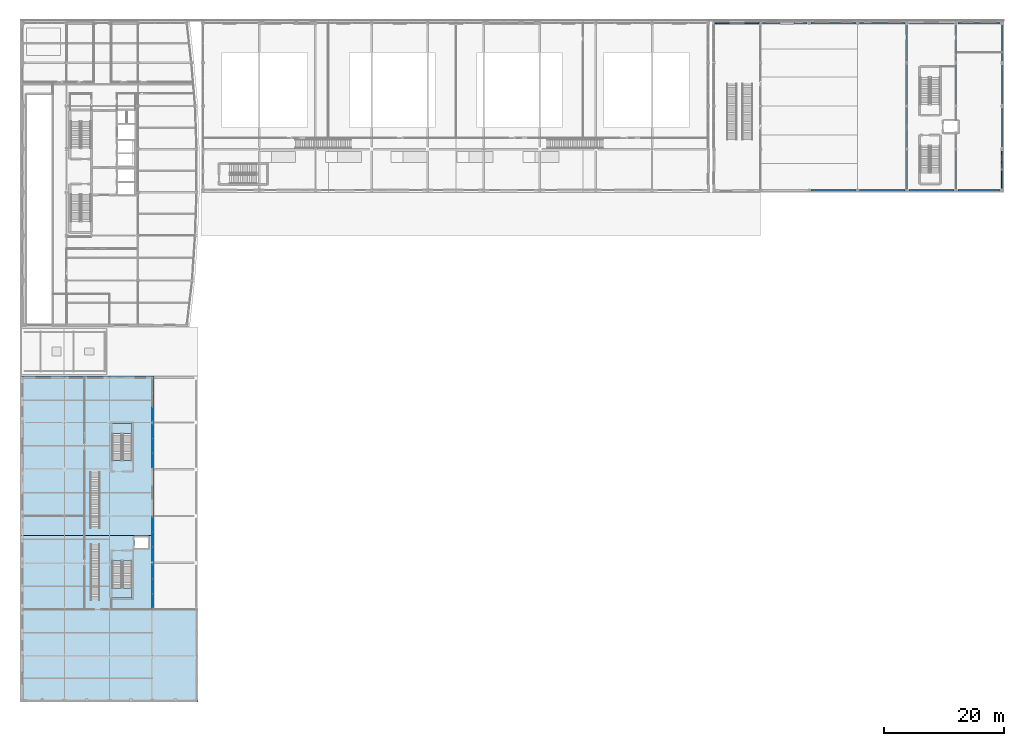
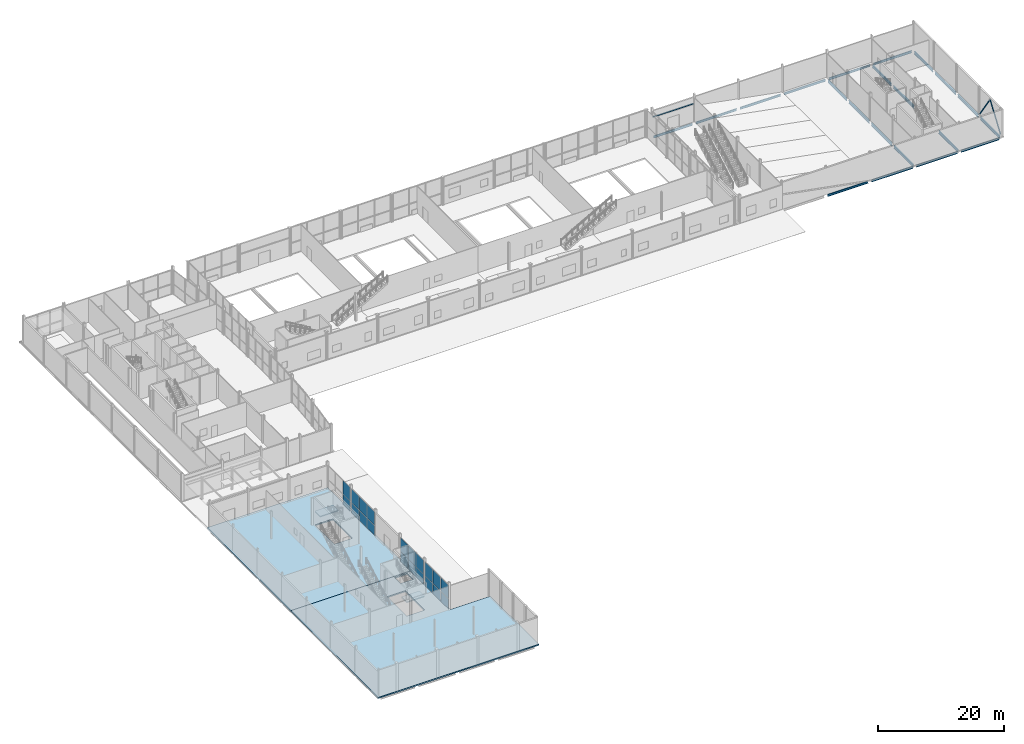
# One storey, part 55 of 83: 22 beams, 20 plates, 4 slabs, 2 members, 6 elements without a shape of their own.
"""IFC4 building model written with IfcOpenShell, lengths in metres."""

from ifc_helpers import new_model, si_unit, direction, frame, origin, origin_2d, place, context, subcontext, project, spatial, polyline, rectangle, hollow_rectangle, i_section, outline, extrude, material, layer, layer_set, material_profile, profile_set, type_object, element, aggregate, save


model = new_model("IFC4")

# Units and contexts
model_context = context("Model", 3, precision=1e-05, world=origin(), true_north=direction((0.0, 1.0)))
body_context = subcontext(model_context, "Body", "Model", "MODEL_VIEW")
ifc_project = project(units=[si_unit("LENGTHUNIT", "METRE"), si_unit("AREAUNIT", "SQUARE_METRE"), si_unit("VOLUMEUNIT", "CUBIC_METRE"), si_unit("PLANEANGLEUNIT", "RADIAN"), si_unit("MASSUNIT", "GRAM", prefix="KILO")], contexts=[model_context])

# Site, building, storey
site_placement = place(None, origin())
site = spatial("IfcSite", under=ifc_project, at=site_placement, CompositionType="ELEMENT")
building_placement = place(site_placement, origin())
building = spatial("IfcBuilding", under=site, at=building_placement, Name="Quillay Park Conservatory", CompositionType="ELEMENT")
storey_placement = place(building_placement, origin())
storey = spatial("IfcBuildingStorey", under=building, at=storey_placement, Name="L00", CompositionType="ELEMENT", Elevation=0.0)

# Beams
ifc_material_1 = material(Name="Steel ASTM A992 Grade 50", Category="steel")
ifc_material_profile_1 = material_profile(ifc_material_1, i_section(OverallWidth=0.133056640625, OverallDepth=0.20703125, WebThickness=0.005859375, FlangeThickness=0.00830078125, FilletRadius=0.008056640625, at=origin_2d()), Name="W200x27")
ifc_profile_set_1 = profile_set([ifc_material_profile_1], Name="Steel ASTM A992 Grade 50")
beam_type_1 = type_object("IfcBeamType", Name="OPENING LINTEL BEAM W200 X27", PredefinedType="LINTEL", material=ifc_profile_set_1)
beam_1_placement = place(storey_placement, frame((115.985107421875, 113.39990234375, 3.49658203125), z_axis=(1.0, 0.0, 0.0), x_axis=(0.0, 1.0, 0.0)))
element("IfcBeam", 1, at=beam_1_placement, inside=storey, type_object=beam_type_1, Name="L00 beam BM-LNT-1601", PredefinedType="LINTEL", context=body_context, shape_type="SweptSolid", body=[
    extrude(i_section(OverallWidth=0.133056640625, OverallDepth=0.20703125, WebThickness=0.005859375, FlangeThickness=0.00830078125, FilletRadius=0.008056640625, at=origin_2d()), origin(), (0.0, 0.0, 1.0), 7.47998046875),
])
ifc_material_2 = material(Name="Steel ASTM A992 Grade 50", Category="steel")
ifc_material_profile_2 = material_profile(ifc_material_2, i_section(OverallWidth=0.179931640625, OverallDepth=0.4130859375, WebThickness=0.009765625, FlangeThickness=0.01611328125, FilletRadius=0.011962890625, at=origin_2d()), Name="W410x74")
ifc_profile_set_2 = profile_set([ifc_material_profile_2], Name="Steel ASTM A992 Grade 50")
beam_type_2 = type_object("IfcBeamType", Name="PERIMETER SPANDREL BEAM W410 X74", PredefinedType="SPANDREL", material=ifc_profile_set_2)
beam_2_placement = place(storey_placement, frame((132.02490234375, 85.550048828125, -0.45654296875), z_axis=(1.0, 0.0, 0.0), x_axis=(0.0, 1.0, 0.0)))
element("IfcBeam", 2, at=beam_2_placement, inside=storey, type_object=beam_type_2, Name="L00 beam BM-V2P-1670", PredefinedType="SPANDREL", context=body_context, shape_type="SweptSolid", body=[
    extrude(i_section(OverallWidth=0.179931640625, OverallDepth=0.4130859375, WebThickness=0.009765625, FlangeThickness=0.01611328125, FilletRadius=0.011962890625, at=origin_2d()), origin(), (0.0, 0.0, 1.0), 7.4501953125),
])
for number, where, z_axis, x_axis, name in (
    (3, (140.125, 85.550048828125, -0.45654296875), (1.0, 0.0, 0.0), (0.0, 1.0, 0.0), "L00 beam BM-V2P-1671"),
    (4, (148.324951171875, 85.550048828125, -0.45654296875), (1.0, 0.0, 0.0), (0.0, 1.0, 0.0), "L00 beam BM-V2P-1672"),
):
    element("IfcBeam", number, at=place(storey_placement, frame(where, z_axis=z_axis, x_axis=x_axis)), inside=storey, type_object=beam_type_2, Name=name, PredefinedType="SPANDREL", context=body_context, shape_type="SweptSolid", body=[
        extrude(i_section(OverallWidth=0.179931640625, OverallDepth=0.4130859375, WebThickness=0.009765625, FlangeThickness=0.01611328125, FilletRadius=0.011962890625, at=origin_2d()), origin(), (0.0, 0.0, 1.0), 7.550048828125),
    ])
beam_3_placement = place(storey_placement, frame((156.52490234375, 85.550048828125, -0.45654296875), z_axis=(1.0, 0.0, 0.0), x_axis=(0.0, 1.0, 0.0)))
element("IfcBeam", 5, at=beam_3_placement, inside=storey, type_object=beam_type_2, Name="L00 beam BM-V2P-1673", PredefinedType="SPANDREL", context=body_context, shape_type="SweptSolid", body=[
    extrude(i_section(OverallWidth=0.179931640625, OverallDepth=0.4130859375, WebThickness=0.009765625, FlangeThickness=0.01611328125, FilletRadius=0.011962890625, at=origin_2d()), origin(), (0.0, 0.0, 1.0), 7.0),
])
beam_4_placement = place(storey_placement, frame((116.175048828125, 113.39990234375, -0.45654296875), z_axis=(1.0, 0.0, 0.0), x_axis=(0.0, 1.0, 0.0)))
element("IfcBeam", 6, at=beam_4_placement, inside=storey, type_object=beam_type_2, Name="L00 beam BM-V2P-1674", PredefinedType="SPANDREL", context=body_context, shape_type="SweptSolid", body=[
    extrude(i_section(OverallWidth=0.179931640625, OverallDepth=0.4130859375, WebThickness=0.009765625, FlangeThickness=0.01611328125, FilletRadius=0.011962890625, at=origin_2d()), origin(), (0.0, 0.0, 1.0), 7.099853515625),
])
beam_5_placement = place(storey_placement, frame((123.925048828125, 113.39990234375, -0.45654296875), z_axis=(1.0, 0.0, 0.0), x_axis=(0.0, 1.0, 0.0)))
element("IfcBeam", 7, at=beam_5_placement, inside=storey, type_object=beam_type_2, Name="L00 beam BM-V2P-1675", PredefinedType="SPANDREL", context=body_context, shape_type="SweptSolid", body=[
    extrude(i_section(OverallWidth=0.179931640625, OverallDepth=0.4130859375, WebThickness=0.009765625, FlangeThickness=0.01611328125, FilletRadius=0.011962890625, at=origin_2d()), origin(), (0.0, 0.0, 1.0), 7.449951171875),
])
beam_6_placement = place(storey_placement, frame((132.02490234375, 113.39990234375, -0.45654296875), z_axis=(1.0, 0.0, 0.0), x_axis=(0.0, 1.0, 0.0)))
element("IfcBeam", 8, at=beam_6_placement, inside=storey, type_object=beam_type_2, Name="L00 beam BM-V2P-1676", PredefinedType="SPANDREL", context=body_context, shape_type="SweptSolid", body=[
    extrude(i_section(OverallWidth=0.179931640625, OverallDepth=0.4130859375, WebThickness=0.009765625, FlangeThickness=0.01611328125, FilletRadius=0.011962890625, at=origin_2d()), origin(), (0.0, 0.0, 1.0), 7.4501953125),
])
for number, where, z_axis, x_axis, name in (
    (9, (140.125, 113.39990234375, -0.45654296875), (1.0, 0.0, 0.0), (0.0, 1.0, 0.0), "L00 beam BM-V2P-1677"),
    (10, (148.324951171875, 113.39990234375, -0.45654296875), (1.0, 0.0, 0.0), (0.0, 1.0, 0.0), "L00 beam BM-V2P-1678"),
):
    element("IfcBeam", number, at=place(storey_placement, frame(where, z_axis=z_axis, x_axis=x_axis)), inside=storey, type_object=beam_type_2, Name=name, PredefinedType="SPANDREL", context=body_context, shape_type="SweptSolid", body=[
        extrude(i_section(OverallWidth=0.179931640625, OverallDepth=0.4130859375, WebThickness=0.009765625, FlangeThickness=0.01611328125, FilletRadius=0.011962890625, at=origin_2d()), origin(), (0.0, 0.0, 1.0), 7.550048828125),
    ])
beam_7_placement = place(storey_placement, frame((156.52490234375, 113.39990234375, -0.45654296875), z_axis=(1.0, 0.0, 0.0), x_axis=(0.0, 1.0, 0.0)))
element("IfcBeam", 11, at=beam_7_placement, inside=storey, type_object=beam_type_2, Name="L00 beam BM-V2P-1679", PredefinedType="SPANDREL", context=body_context, shape_type="SweptSolid", body=[
    extrude(i_section(OverallWidth=0.179931640625, OverallDepth=0.4130859375, WebThickness=0.009765625, FlangeThickness=0.01611328125, FilletRadius=0.011962890625, at=origin_2d()), origin(), (0.0, 0.0, 1.0), 7.0),
])
ifc_material_3 = material(Name="Steel ASTM A992 Grade 50", Category="steel")
ifc_material_profile_3 = material_profile(ifc_material_3, i_section(OverallWidth=0.2109375, OverallDepth=0.5390625, WebThickness=0.01171875, FlangeThickness=0.018798828125, FilletRadius=0.013916015625, at=origin_2d()), Name="W530x109")
ifc_profile_set_3 = profile_set([ifc_material_profile_3], Name="Steel ASTM A992 Grade 50")
beam_type_3 = type_object("IfcBeamType", Name="PRIMARY FLOOR GIRDER W530 X109", PredefinedType="BEAM", material=ifc_profile_set_3)
beam_8_placement = place(storey_placement, frame((148.0, 85.875, -0.51953125), z_axis=(0.0, 1.0, 0.0), x_axis=(-1.0, 0.0, 0.0)))
element("IfcBeam", 12, at=beam_8_placement, inside=storey, type_object=beam_type_3, Name="L00 beam BM-V2Y-1688", PredefinedType="BEAM", context=body_context, shape_type="SweptSolid", body=[
    extrude(i_section(OverallWidth=0.2109375, OverallDepth=0.5390625, WebThickness=0.01171875, FlangeThickness=0.018798828125, FilletRadius=0.013916015625, at=origin_2d()), origin(), (0.0, 0.0, 1.0), 6.199951171875),
])
beam_9_placement = place(storey_placement, frame((148.0, 92.72509765625, -0.51953125), z_axis=(0.0, 1.0, 0.0), x_axis=(-1.0, 0.0, 0.0)))
element("IfcBeam", 13, at=beam_9_placement, inside=storey, type_object=beam_type_3, Name="L00 beam BM-V2Y-1689", PredefinedType="BEAM", context=body_context, shape_type="SweptSolid", body=[
    extrude(i_section(OverallWidth=0.2109375, OverallDepth=0.5390625, WebThickness=0.01171875, FlangeThickness=0.018798828125, FilletRadius=0.013916015625, at=origin_2d()), origin(), (0.0, 0.0, 1.0), 6.5498046875),
])
beam_10_placement = place(storey_placement, frame((148.0, 99.925048828125, -0.51953125), z_axis=(0.0, 1.0, 0.0), x_axis=(-1.0, 0.0, 0.0)))
element("IfcBeam", 14, at=beam_10_placement, inside=storey, type_object=beam_type_3, Name="L00 beam BM-V2Y-1690", PredefinedType="BEAM", context=body_context, shape_type="SweptSolid", body=[
    extrude(i_section(OverallWidth=0.2109375, OverallDepth=0.5390625, WebThickness=0.01171875, FlangeThickness=0.018798828125, FilletRadius=0.013916015625, at=origin_2d()), origin(), (0.0, 0.0, 1.0), 6.550048828125),
])
beam_11_placement = place(storey_placement, frame((148.0, 107.125, -0.51953125), z_axis=(0.0, 1.0, 0.0), x_axis=(-1.0, 0.0, 0.0)))
element("IfcBeam", 15, at=beam_11_placement, inside=storey, type_object=beam_type_3, Name="L00 beam BM-V2Y-1691", PredefinedType="BEAM", context=body_context, shape_type="SweptSolid", body=[
    extrude(i_section(OverallWidth=0.2109375, OverallDepth=0.5390625, WebThickness=0.01171875, FlangeThickness=0.018798828125, FilletRadius=0.013916015625, at=origin_2d()), origin(), (0.0, 0.0, 1.0), 5.949951171875),
])
beam_12_placement = place(storey_placement, frame((156.199951171875, 85.875, -0.51953125), z_axis=(0.0, 1.0, 0.0), x_axis=(-1.0, 0.0, 0.0)))
element("IfcBeam", 16, at=beam_12_placement, inside=storey, type_object=beam_type_3, Name="L00 beam BM-V2Y-1692", PredefinedType="BEAM", context=body_context, shape_type="SweptSolid", body=[
    extrude(i_section(OverallWidth=0.2109375, OverallDepth=0.5390625, WebThickness=0.01171875, FlangeThickness=0.018798828125, FilletRadius=0.013916015625, at=origin_2d()), origin(), (0.0, 0.0, 1.0), 6.199951171875),
])
beam_13_placement = place(storey_placement, frame((156.199951171875, 99.925048828125, -0.51953125), z_axis=(0.0, 1.0, 0.0), x_axis=(-1.0, 0.0, 0.0)))
element("IfcBeam", 17, at=beam_13_placement, inside=storey, type_object=beam_type_3, Name="L00 beam BM-V2Y-1693", PredefinedType="BEAM", context=body_context, shape_type="SweptSolid", body=[
    extrude(i_section(OverallWidth=0.2109375, OverallDepth=0.5390625, WebThickness=0.01171875, FlangeThickness=0.018798828125, FilletRadius=0.013916015625, at=origin_2d()), origin(), (0.0, 0.0, 1.0), 6.550048828125),
])
beam_14_placement = place(storey_placement, frame((156.199951171875, 107.125, -0.51953125), z_axis=(0.0, 1.0, 0.0), x_axis=(-1.0, 0.0, 0.0)))
element("IfcBeam", 18, at=beam_14_placement, inside=storey, type_object=beam_type_3, Name="L00 beam BM-V2Y-1694", PredefinedType="BEAM", context=body_context, shape_type="SweptSolid", body=[
    extrude(i_section(OverallWidth=0.2109375, OverallDepth=0.5390625, WebThickness=0.01171875, FlangeThickness=0.018798828125, FilletRadius=0.013916015625, at=origin_2d()), origin(), (0.0, 0.0, 1.0), 5.949951171875),
])
beam_15_placement = place(storey_placement, frame((163.85009765625, 85.875, -0.51953125), z_axis=(0.0, 1.0, 0.0), x_axis=(-1.0, 0.0, 0.0)))
element("IfcBeam", 19, at=beam_15_placement, inside=storey, type_object=beam_type_3, Name="L00 beam BM-V2Y-1695", PredefinedType="BEAM", context=body_context, shape_type="SweptSolid", body=[
    extrude(i_section(OverallWidth=0.2109375, OverallDepth=0.5390625, WebThickness=0.01171875, FlangeThickness=0.018798828125, FilletRadius=0.013916015625, at=origin_2d()), origin(), (0.0, 0.0, 1.0), 6.199951171875),
])
beam_16_placement = place(storey_placement, frame((163.85009765625, 92.72509765625, -0.51953125), z_axis=(0.0, 1.0, 0.0), x_axis=(-1.0, 0.0, 0.0)))
element("IfcBeam", 20, at=beam_16_placement, inside=storey, type_object=beam_type_3, Name="L00 beam BM-V2Y-1696", PredefinedType="BEAM", context=body_context, shape_type="SweptSolid", body=[
    extrude(i_section(OverallWidth=0.2109375, OverallDepth=0.5390625, WebThickness=0.01171875, FlangeThickness=0.018798828125, FilletRadius=0.013916015625, at=origin_2d()), origin(), (0.0, 0.0, 1.0), 6.5498046875),
])
beam_17_placement = place(storey_placement, frame((163.85009765625, 99.925048828125, -0.51953125), z_axis=(0.0, 1.0, 0.0), x_axis=(-1.0, 0.0, 0.0)))
element("IfcBeam", 21, at=beam_17_placement, inside=storey, type_object=beam_type_3, Name="L00 beam BM-V2Y-1697", PredefinedType="BEAM", context=body_context, shape_type="SweptSolid", body=[
    extrude(i_section(OverallWidth=0.2109375, OverallDepth=0.5390625, WebThickness=0.01171875, FlangeThickness=0.018798828125, FilletRadius=0.013916015625, at=origin_2d()), origin(), (0.0, 0.0, 1.0), 6.550048828125),
])
beam_18_placement = place(storey_placement, frame((163.85009765625, 107.125, -0.51953125), z_axis=(0.0, 1.0, 0.0), x_axis=(-1.0, 0.0, 0.0)))
element("IfcBeam", 22, at=beam_18_placement, inside=storey, type_object=beam_type_3, Name="L00 beam BM-V2Y-1698", PredefinedType="BEAM", context=body_context, shape_type="SweptSolid", body=[
    extrude(i_section(OverallWidth=0.2109375, OverallDepth=0.5390625, WebThickness=0.01171875, FlangeThickness=0.018798828125, FilletRadius=0.013916015625, at=origin_2d()), origin(), (0.0, 0.0, 1.0), 5.949951171875),
])

# Members
ifc_material_4 = material(Name="Steel S355J2H", Category="steel")
ifc_material_profile_4 = material_profile(ifc_material_4, hollow_rectangle(XDim=0.179931640625, YDim=0.179931640625, WallThickness=0.010009765625, InnerFilletRadius=0.010009765625, OuterFilletRadius=0.02001953125, at=origin_2d()), Name="RHS180x180x10")
ifc_profile_set_4 = profile_set([ifc_material_profile_4], Name="Steel S355J2H")
member_type_1 = type_object("IfcMemberType", Name="SEISMIC FRAME BRACE RHS180", PredefinedType="BRACE", material=ifc_profile_set_4)
member_1_placement = place(storey_placement, frame((163.85009765625, 92.25, 0.14990234375), z_axis=(0.0, -0.564190027911, 0.825644967529), x_axis=(1.0, 0.0, 0.0)))
element("IfcMember", 23, at=member_1_placement, inside=storey, type_object=member_type_1, Name="Gridshell member BR-V2-L00-B", PredefinedType="BRACE", context=body_context, shape_type="SweptSolid", body=[
    extrude(hollow_rectangle(XDim=0.179931640625, YDim=0.179931640625, WallThickness=0.010009765625, InnerFilletRadius=0.010009765625, OuterFilletRadius=0.02001953125, at=origin_2d()), origin(), (0.0, 0.0, 1.0), 5.813720703125),
])
ifc_material_5 = material(Name="Steel S355J2H", Category="steel")
ifc_material_profile_5 = material_profile(ifc_material_5, hollow_rectangle(XDim=0.14990234375, YDim=0.25, WallThickness=0.010009765625, InnerFilletRadius=0.010009765625, OuterFilletRadius=0.02001953125, at=origin_2d()), Name="RHS250x150x10")
ifc_profile_set_5 = profile_set([ifc_material_profile_5], Name="Steel S355J2H")
member_type_2 = type_object("IfcMemberType", Name="SEISMIC FRAME BRACE RHS250", PredefinedType="BRACE", material=ifc_profile_set_5)
member_2_placement = place(storey_placement, frame((163.85009765625, 85.699951171875, 0.14990234375), z_axis=(0.0, 0.563014613541, 0.826446940184), x_axis=(-1.0, 0.0, 0.0)))
element("IfcMember", 24, at=member_2_placement, inside=storey, type_object=member_type_2, Name="Gridshell member BR-V2-L00-A", PredefinedType="BRACE", context=body_context, shape_type="SweptSolid", body=[
    extrude(hollow_rectangle(XDim=0.14990234375, YDim=0.25, WallThickness=0.010009765625, InnerFilletRadius=0.010009765625, OuterFilletRadius=0.02001953125, at=origin_2d()), origin(), (0.0, 0.0, 1.0), 5.80810546875),
])

# Curtain wall, plates
ifc_material_6 = material(Name="Thermally Broken Anodised Aluminium 6063-T6", Category="aluminium")
ifc_layer_1 = layer(ifc_material_6, 0.1650390625)
ifc_layer_set_1 = layer_set([ifc_layer_1], Name="UNITISED CURTAIN WALL PODIUM (Thermally Broken Anodised Aluminium 6063-T6)")
curtain_wall_type = type_object("IfcCurtainWallType", Name="UNITISED CURTAIN WALL PODIUM", PredefinedType="USERDEFINED", material=ifc_layer_set_1)
curtain_wall_1_placement = place(storey_placement, origin())
curtain_wall_1 = element("IfcCurtainWall", 25, at=curtain_wall_1_placement, inside=storey, type_object=curtain_wall_type, Name="L00 Unitised Curtain Wall 196", ObjectType="UNITISED CURTAIN WALL", PredefinedType="USERDEFINED")
ifc_material_7 = material(Name="Low-E Double Glazing (Laminated Tempered)", Category="glass")
ifc_layer_2 = layer(ifc_material_7, 0.028076171875)
ifc_layer_set_2 = layer_set([ifc_layer_2], Name="CURTAIN WALL GLAZED PANEL 28 (Low-E Double Glazing (Laminated Tempered))")
plate_type = type_object("IfcPlateType", Name="CURTAIN WALL GLAZED PANEL 28", PredefinedType="CURTAIN_PANEL", material=ifc_layer_set_2)
plate_1_placement = place(storey_placement, frame((22.14990234375, 21.975830078125, 0.070068359375), z_axis=(0.0, 0.0, 1.0), x_axis=(0.0, -1.0, 0.0)))
plate_1 = element("IfcPlate", 26, at=plate_1_placement, type_object=plate_type, Name="CW-P1 panel 1.1", PredefinedType="CURTAIN_PANEL", context=body_context, shape_type="SweptSolid", body=[
    extrude(rectangle(XDim=2.388427734375, YDim=0.028076171875, at=origin_2d()), origin(), (0.0, 0.0, 1.0), 1.8896484375),
])
plate_2_placement = place(storey_placement, frame((22.14990234375, 21.975830078125, 2.029541015625), z_axis=(0.0, 0.0, 1.0), x_axis=(0.0, -1.0, 0.0)))
plate_2 = element("IfcPlate", 27, at=plate_2_placement, type_object=plate_type, Name="CW-P1 panel 1.2", PredefinedType="CURTAIN_PANEL", context=body_context, shape_type="SweptSolid", body=[
    extrude(rectangle(XDim=2.388427734375, YDim=0.028076171875, at=origin_2d()), origin(), (0.0, 0.0, 1.0), 2.6494140625),
])
plate_3_placement = place(storey_placement, frame((22.14990234375, 19.5, 0.070068359375), z_axis=(0.0, 0.0, 1.0), x_axis=(0.0, -1.0, 0.0)))
plate_3 = element("IfcPlate", 28, at=plate_3_placement, type_object=plate_type, Name="CW-P1 panel 2.1", PredefinedType="CURTAIN_PANEL", context=body_context, shape_type="SweptSolid", body=[
    extrude(rectangle(XDim=2.42333984375, YDim=0.028076171875, at=origin_2d()), origin(), (0.0, 0.0, 1.0), 1.8896484375),
])
plate_4_placement = place(storey_placement, frame((22.14990234375, 19.5, 2.029541015625), z_axis=(0.0, 0.0, 1.0), x_axis=(0.0, -1.0, 0.0)))
plate_4 = element("IfcPlate", 29, at=plate_4_placement, type_object=plate_type, Name="CW-P1 panel 2.2", PredefinedType="CURTAIN_PANEL", context=body_context, shape_type="SweptSolid", body=[
    extrude(rectangle(XDim=2.42333984375, YDim=0.028076171875, at=origin_2d()), origin(), (0.0, 0.0, 1.0), 2.6494140625),
])
plate_5_placement = place(storey_placement, frame((22.14990234375, 17.024169921875, 0.070068359375), z_axis=(0.0, 0.0, 1.0), x_axis=(0.0, -1.0, 0.0)))
plate_5 = element("IfcPlate", 30, at=plate_5_placement, type_object=plate_type, Name="CW-P1 panel 3.1", PredefinedType="CURTAIN_PANEL", context=body_context, shape_type="SweptSolid", body=[
    extrude(rectangle(XDim=2.388427734375, YDim=0.028076171875, at=origin_2d()), origin(), (0.0, 0.0, 1.0), 1.8896484375),
])
plate_6_placement = place(storey_placement, frame((22.14990234375, 17.024169921875, 2.029541015625), z_axis=(0.0, 0.0, 1.0), x_axis=(0.0, -1.0, 0.0)))
plate_6 = element("IfcPlate", 31, at=plate_6_placement, type_object=plate_type, Name="CW-P1 panel 3.2", PredefinedType="CURTAIN_PANEL", context=body_context, shape_type="SweptSolid", body=[
    extrude(rectangle(XDim=2.388427734375, YDim=0.028076171875, at=origin_2d()), origin(), (0.0, 0.0, 1.0), 2.6494140625),
])
aggregate(curtain_wall_1, [plate_1, plate_2, plate_3, plate_4, plate_5, plate_6])

curtain_wall_2_placement = place(storey_placement, origin())
curtain_wall_2 = element("IfcCurtainWall", 32, at=curtain_wall_2_placement, inside=storey, type_object=curtain_wall_type, Name="L00 Unitised Curtain Wall 197", ObjectType="UNITISED CURTAIN WALL", PredefinedType="USERDEFINED")
plate_7_placement = place(storey_placement, frame((22.14990234375, 29.77587890625, 0.070068359375), z_axis=(0.0, 0.0, 1.0), x_axis=(0.0, -1.0, 0.0)))
plate_7 = element("IfcPlate", 33, at=plate_7_placement, type_object=plate_type, Name="CW-P1 panel 1.1", PredefinedType="CURTAIN_PANEL", context=body_context, shape_type="SweptSolid", body=[
    extrude(rectangle(XDim=2.388427734375, YDim=0.028076171875, at=origin_2d()), origin(), (0.0, 0.0, 1.0), 1.8896484375),
])
plate_8_placement = place(storey_placement, frame((22.14990234375, 29.77587890625, 2.029541015625), z_axis=(0.0, 0.0, 1.0), x_axis=(0.0, -1.0, 0.0)))
plate_8 = element("IfcPlate", 34, at=plate_8_placement, type_object=plate_type, Name="CW-P1 panel 1.2", PredefinedType="CURTAIN_PANEL", context=body_context, shape_type="SweptSolid", body=[
    extrude(rectangle(XDim=2.388427734375, YDim=0.028076171875, at=origin_2d()), origin(), (0.0, 0.0, 1.0), 2.6494140625),
])
plate_9_placement = place(storey_placement, frame((22.14990234375, 27.300048828125, 0.070068359375), z_axis=(0.0, 0.0, 1.0), x_axis=(0.0, -1.0, 0.0)))
plate_9 = element("IfcPlate", 35, at=plate_9_placement, type_object=plate_type, Name="CW-P1 panel 2.1", PredefinedType="CURTAIN_PANEL", context=body_context, shape_type="SweptSolid", body=[
    extrude(rectangle(XDim=2.42333984375, YDim=0.028076171875, at=origin_2d()), origin(), (0.0, 0.0, 1.0), 1.8896484375),
])
plate_10_placement = place(storey_placement, frame((22.14990234375, 27.300048828125, 2.029541015625), z_axis=(0.0, 0.0, 1.0), x_axis=(0.0, -1.0, 0.0)))
plate_10 = element("IfcPlate", 36, at=plate_10_placement, type_object=plate_type, Name="CW-P1 panel 2.2", PredefinedType="CURTAIN_PANEL", context=body_context, shape_type="SweptSolid", body=[
    extrude(rectangle(XDim=2.42333984375, YDim=0.028076171875, at=origin_2d()), origin(), (0.0, 0.0, 1.0), 2.6494140625),
])
plate_11_placement = place(storey_placement, frame((22.14990234375, 24.82421875, 0.070068359375), z_axis=(0.0, 0.0, 1.0), x_axis=(0.0, -1.0, 0.0)))
plate_11 = element("IfcPlate", 37, at=plate_11_placement, type_object=plate_type, Name="CW-P1 panel 3.1", PredefinedType="CURTAIN_PANEL", context=body_context, shape_type="SweptSolid", body=[
    extrude(rectangle(XDim=2.388427734375, YDim=0.028076171875, at=origin_2d()), origin(), (0.0, 0.0, 1.0), 1.8896484375),
])
plate_12_placement = place(storey_placement, frame((22.14990234375, 24.82421875, 2.029541015625), z_axis=(0.0, 0.0, 1.0), x_axis=(0.0, -1.0, 0.0)))
plate_12 = element("IfcPlate", 38, at=plate_12_placement, type_object=plate_type, Name="CW-P1 panel 3.2", PredefinedType="CURTAIN_PANEL", context=body_context, shape_type="SweptSolid", body=[
    extrude(rectangle(XDim=2.388427734375, YDim=0.028076171875, at=origin_2d()), origin(), (0.0, 0.0, 1.0), 2.6494140625),
])
aggregate(curtain_wall_2, [plate_7, plate_8, plate_9, plate_10, plate_11, plate_12])

curtain_wall_3_placement = place(storey_placement, origin())
curtain_wall_3 = element("IfcCurtainWall", 39, at=curtain_wall_3_placement, inside=storey, type_object=curtain_wall_type, Name="L00 Unitised Curtain Wall 198", ObjectType="UNITISED CURTAIN WALL", PredefinedType="USERDEFINED")
plate_13_placement = place(storey_placement, frame((22.14990234375, 45.375732421875, 0.070068359375), z_axis=(0.0, 0.0, 1.0), x_axis=(0.0, -1.0, 0.0)))
plate_13 = element("IfcPlate", 40, at=plate_13_placement, type_object=plate_type, Name="CW-P1 panel 1.1", PredefinedType="CURTAIN_PANEL", context=body_context, shape_type="SweptSolid", body=[
    extrude(rectangle(XDim=2.388427734375, YDim=0.028076171875, at=origin_2d()), origin(), (0.0, 0.0, 1.0), 1.8896484375),
])
plate_14_placement = place(storey_placement, frame((22.14990234375, 45.375732421875, 2.029541015625), z_axis=(0.0, 0.0, 1.0), x_axis=(0.0, -1.0, 0.0)))
plate_14 = element("IfcPlate", 41, at=plate_14_placement, type_object=plate_type, Name="CW-P1 panel 1.2", PredefinedType="CURTAIN_PANEL", context=body_context, shape_type="SweptSolid", body=[
    extrude(rectangle(XDim=2.388427734375, YDim=0.028076171875, at=origin_2d()), origin(), (0.0, 0.0, 1.0), 2.6494140625),
])
plate_15_placement = place(storey_placement, frame((22.14990234375, 42.89990234375, 0.070068359375), z_axis=(0.0, 0.0, 1.0), x_axis=(0.0, -1.0, 0.0)))
plate_15 = element("IfcPlate", 42, at=plate_15_placement, type_object=plate_type, Name="CW-P1 panel 2.1", PredefinedType="CURTAIN_PANEL", context=body_context, shape_type="SweptSolid", body=[
    extrude(rectangle(XDim=2.42333984375, YDim=0.028076171875, at=origin_2d()), origin(), (0.0, 0.0, 1.0), 1.8896484375),
])
plate_16_placement = place(storey_placement, frame((22.14990234375, 42.89990234375, 2.029541015625), z_axis=(0.0, 0.0, 1.0), x_axis=(0.0, -1.0, 0.0)))
plate_16 = element("IfcPlate", 43, at=plate_16_placement, type_object=plate_type, Name="CW-P1 panel 2.2", PredefinedType="CURTAIN_PANEL", context=body_context, shape_type="SweptSolid", body=[
    extrude(rectangle(XDim=2.42333984375, YDim=0.028076171875, at=origin_2d()), origin(), (0.0, 0.0, 1.0), 2.6494140625),
])
plate_17_placement = place(storey_placement, frame((22.14990234375, 40.424072265625, 0.070068359375), z_axis=(0.0, 0.0, 1.0), x_axis=(0.0, -1.0, 0.0)))
plate_17 = element("IfcPlate", 44, at=plate_17_placement, type_object=plate_type, Name="CW-P1 panel 3.1", PredefinedType="CURTAIN_PANEL", context=body_context, shape_type="SweptSolid", body=[
    extrude(rectangle(XDim=2.388427734375, YDim=0.028076171875, at=origin_2d()), origin(), (0.0, 0.0, 1.0), 1.8896484375),
])
plate_18_placement = place(storey_placement, frame((22.14990234375, 40.424072265625, 2.029541015625), z_axis=(0.0, 0.0, 1.0), x_axis=(0.0, -1.0, 0.0)))
plate_18 = element("IfcPlate", 45, at=plate_18_placement, type_object=plate_type, Name="CW-P1 panel 3.2", PredefinedType="CURTAIN_PANEL", context=body_context, shape_type="SweptSolid", body=[
    extrude(rectangle(XDim=2.388427734375, YDim=0.028076171875, at=origin_2d()), origin(), (0.0, 0.0, 1.0), 2.6494140625),
])
aggregate(curtain_wall_3, [plate_13, plate_14, plate_15, plate_16, plate_17, plate_18])

curtain_wall_4_placement = place(storey_placement, origin())
curtain_wall_4 = element("IfcCurtainWall", 46, at=curtain_wall_4_placement, inside=storey, type_object=curtain_wall_type, Name="L00 Unitised Curtain Wall 199", ObjectType="UNITISED CURTAIN WALL", PredefinedType="USERDEFINED")
plate_19_placement = place(storey_placement, frame((22.14990234375, 48.165771484375, 0.070068359375), z_axis=(0.0, 0.0, 1.0), x_axis=(0.0, -1.0, 0.0)))
plate_19 = element("IfcPlate", 47, at=plate_19_placement, type_object=plate_type, Name="CW-P1 panel 3.1", PredefinedType="CURTAIN_PANEL", context=body_context, shape_type="SweptSolid", body=[
    extrude(rectangle(XDim=2.271728515625, YDim=0.028076171875, at=origin_2d()), origin(), (0.0, 0.0, 1.0), 1.8896484375),
])
plate_20_placement = place(storey_placement, frame((22.14990234375, 48.165771484375, 2.029541015625), z_axis=(0.0, 0.0, 1.0), x_axis=(0.0, -1.0, 0.0)))
plate_20 = element("IfcPlate", 48, at=plate_20_placement, type_object=plate_type, Name="CW-P1 panel 3.2", PredefinedType="CURTAIN_PANEL", context=body_context, shape_type="SweptSolid", body=[
    extrude(rectangle(XDim=2.271728515625, YDim=0.028076171875, at=origin_2d()), origin(), (0.0, 0.0, 1.0), 2.6494140625),
])
aggregate(curtain_wall_4, [plate_19, plate_20])

# Stair, slab
ifc_material_8 = material(Name="Concrete C35/45 (NCh170 Concrete C35/45)", Category="concrete")
stair_type = type_object("IfcStairType", Name="ENCLOSED DOG LEG STAIR 5400", PredefinedType="HALF_TURN_STAIR", material=ifc_material_8)
stair_1_placement = place(storey_placement, origin())
stair_1 = element("IfcStair", 49, at=stair_1_placement, inside=storey, type_object=stair_type, Name="L00 Visitor Centre Exit Stair 1", PredefinedType="HALF_TURN_STAIR")
ifc_material_9 = material(Name="Concrete C35/45 (NCh170 Concrete C35/45)", Category="concrete")
ifc_layer_3 = layer(ifc_material_9, 0.199951171875)
ifc_layer_set_3 = layer_set([ifc_layer_3], Name="STAIR LANDING SLAB 200 (Concrete C35/45 (NCh170 Concrete C35/45))")
slab_type_1 = type_object("IfcSlabType", Name="STAIR LANDING SLAB 200", PredefinedType="LANDING", material=ifc_layer_set_3)
slab_1_placement = place(storey_placement, frame((0.0, 0.0, 2.5)))
slab_1 = element("IfcSlab", 50, at=slab_1_placement, type_object=slab_type_1, Name="ST-V1 landing 1", PredefinedType="LANDING", context=body_context, shape_type="SweptSolid", body=[
    extrude(outline(polyline([(15.449951171875, 19.199951171875), (15.449951171875, 17.5), (18.77001953125, 17.5), (18.77001953125, 19.199951171875), (15.449951171875, 19.199951171875)])), origin(), (0.0, 0.0, 1.0), 0.199951171875),
])
aggregate(stair_1, [slab_1])

stair_2_placement = place(storey_placement, origin())
stair_2 = element("IfcStair", 51, at=stair_2_placement, inside=storey, type_object=stair_type, Name="L00 Visitor Centre Exit Stair 2", PredefinedType="HALF_TURN_STAIR")
slab_2_placement = place(storey_placement, frame((0.0, 0.0, 2.5)))
slab_2 = element("IfcSlab", 52, at=slab_2_placement, type_object=slab_type_1, Name="ST-V2 landing 1", PredefinedType="LANDING", context=body_context, shape_type="SweptSolid", body=[
    extrude(outline(polyline([(18.77001953125, 44.949951171875), (18.77001953125, 46.64990234375), (15.449951171875, 46.64990234375), (15.449951171875, 44.949951171875), (18.77001953125, 44.949951171875)])), origin(), (0.0, 0.0, 1.0), 0.199951171875),
])
aggregate(stair_2, [slab_2])

# Slabs
ifc_material_10 = material(Name="Concrete C35/45 (NCh170 Concrete C35/45)", Category="concrete")
ifc_layer_4 = layer(ifc_material_10, 0.25)
ifc_layer_set_4 = layer_set([ifc_layer_4], Name="SUSPENDED FLOOR SLAB 250 (Concrete C35/45 (NCh170 Concrete C35/45))")
slab_type_2 = type_object("IfcSlabType", Name="SUSPENDED FLOOR SLAB 250", PredefinedType="FLOOR", material=ifc_layer_set_4)
slab_3_placement = place(storey_placement, frame((0.0, 0.0, -0.25)))
element("IfcSlab", 53, at=slab_3_placement, inside=storey, type_object=slab_type_2, Name="L00 slab SLB-V3-L00-S", PredefinedType="FLOOR", context=body_context, shape_type="SweptSolid", body=[
    extrude(outline(polyline([(0.25, 0.199951171875), (29.75, 0.199951171875), (29.75, 15.60009765625), (22.39990234375, 15.60009765625), (22.39990234375, 28.0), (0.25, 28.0), (0.25, 0.199951171875)]), holes=[polyline([(15.449951171875, 17.5), (18.77001953125, 17.5), (18.77001953125, 23.669921875), (15.449951171875, 23.669921875), (15.449951171875, 17.5)]), polyline([(19.14990234375, 25.800048828125), (21.449951171875, 25.800048828125), (21.449951171875, 27.699951171875), (19.14990234375, 27.699951171875), (19.14990234375, 25.800048828125)])]), origin(), (0.0, 0.0, 1.0), 0.25),
])
slab_4_placement = place(storey_placement, frame((0.0, 0.0, -0.25)))
element("IfcSlab", 54, at=slab_4_placement, inside=storey, type_object=slab_type_2, Name="L00 slab SLB-V3-L00-N", PredefinedType="FLOOR", context=body_context, shape_type="SweptSolid", body=[
    extrude(outline(polyline([(0.25, 28.0), (22.39990234375, 28.0), (22.39990234375, 54.60009765625), (0.25, 54.60009765625), (0.25, 28.0)]), holes=[polyline([(15.449951171875, 40.47998046875), (18.77001953125, 40.47998046875), (18.77001953125, 46.64990234375), (15.449951171875, 46.64990234375), (15.449951171875, 40.47998046875)])]), origin(), (0.0, 0.0, 1.0), 0.25),
])

save(model, "model.ifc")
